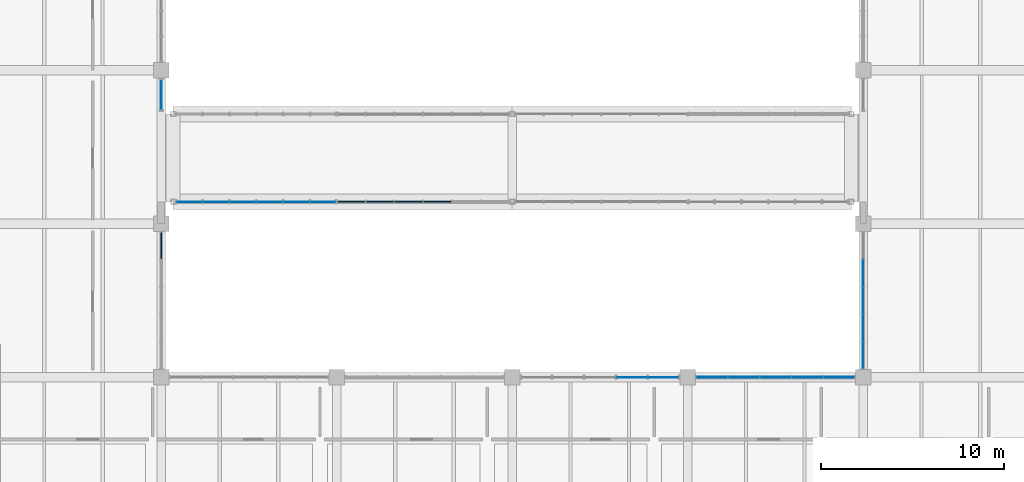
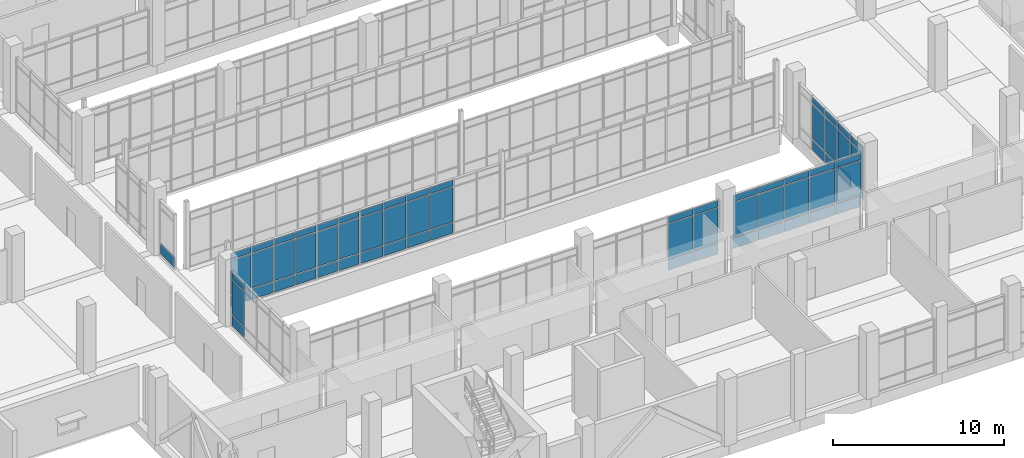
# One storey, part 97 of 152: 67 plates, 7 elements without a shape of their own.
"""IFC4 building model written with IfcOpenShell, lengths in metres."""

from ifc_helpers import new_model, si_unit, direction, frame, origin, origin_2d, place, context, subcontext, project, spatial, rectangle, extrude, material, layer, layer_set, type_object, element, aggregate, save


model = new_model("IFC4")

# Units and contexts
model_context = context("Model", 3, precision=1e-05, world=origin(), true_north=direction((0.0, 1.0)))
body_context = subcontext(model_context, "Body", "Model", "MODEL_VIEW")
ifc_project = project(units=[si_unit("LENGTHUNIT", "METRE"), si_unit("AREAUNIT", "SQUARE_METRE"), si_unit("VOLUMEUNIT", "CUBIC_METRE"), si_unit("PLANEANGLEUNIT", "RADIAN"), si_unit("MASSUNIT", "GRAM", prefix="KILO")], contexts=[model_context])

# Site, building, storey
site_placement = place(None, origin())
site = spatial("IfcSite", under=ifc_project, at=site_placement, CompositionType="ELEMENT")
building_placement = place(site_placement, origin())
building = spatial("IfcBuilding", under=site, at=building_placement, Name="Oolite Switchyard Hospital", CompositionType="ELEMENT")
storey_placement = place(building_placement, frame((0.0, 0.0, 5.10009765625)))
storey = spatial("IfcBuildingStorey", under=building, at=storey_placement, Name="L01", CompositionType="ELEMENT", Elevation=5.10009765625)

# Curtain wall, plates
ifc_material_1 = material(Name="Thermally broken aluminum frame with laminated impact glazing", Category="aluminium")
curtain_wall_type_1 = type_object("IfcCurtainWallType", Name="CW-BRG-96X38", PredefinedType="USERDEFINED", material=ifc_material_1)
curtain_wall_1_placement = place(storey_placement, origin())
curtain_wall_1 = element("IfcCurtainWall", 1, at=curtain_wall_1_placement, inside=storey, type_object=curtain_wall_type_1, Name="L01 Unitised Curtain Wall 117", ObjectType="UNITISED", PredefinedType="USERDEFINED")
ifc_material_2 = material(Name="Insulated fluoropolymer-coated aluminum spandrel panel", Category="aluminium")
ifc_layer_1 = layer(ifc_material_2, 0.054931640625)
ifc_layer_set_1 = layer_set([ifc_layer_1], Name="CW-PNL-SPN55")
plate_type_1 = type_object("IfcPlateType", Name="CW-PNL-SPN55", PredefinedType="CURTAIN_PANEL", material=ifc_layer_set_1)
plate_1_placement = place(storey_placement, frame((159.1171875, 34.800048828125, 0.07470703125), z_axis=(0.0, 0.0, 1.0), x_axis=(-1.0, 0.0, 0.0)))
plate_1 = element("IfcPlate", 2, at=plate_1_placement, type_object=plate_type_1, Name="CW-12 panel 3.1", PredefinedType="CURTAIN_PANEL", context=body_context, shape_type="SweptSolid", body=[
    extrude(rectangle(XDim=1.50634765625, YDim=0.054931640625, at=origin_2d()), origin(), (0.0, 0.0, 1.0), 0.737548828125),
])
plate_2_placement = place(storey_placement, frame((159.1171875, 34.800048828125, 0.88720703125), z_axis=(0.0, 0.0, 1.0), x_axis=(-1.0, 0.0, 0.0)))
plate_2 = element("IfcPlate", 3, at=plate_2_placement, type_object=plate_type_1, Name="CW-12 panel 3.2", PredefinedType="CURTAIN_PANEL", context=body_context, shape_type="SweptSolid", body=[
    extrude(rectangle(XDim=1.50634765625, YDim=0.054931640625, at=origin_2d()), origin(), (0.0, 0.0, 1.0), 2.465087890625),
])
plate_3_placement = place(storey_placement, frame((159.1171875, 34.800048828125, 3.427490234375), z_axis=(0.0, 0.0, 1.0), x_axis=(-1.0, 0.0, 0.0)))
plate_3 = element("IfcPlate", 4, at=plate_3_placement, type_object=plate_type_1, Name="CW-12 panel 3.3", PredefinedType="CURTAIN_PANEL", context=body_context, shape_type="SweptSolid", body=[
    extrude(rectangle(XDim=1.50634765625, YDim=0.054931640625, at=origin_2d()), origin(), (0.0, 0.0, 1.0), 0.4375),
])
plate_4_placement = place(storey_placement, frame((157.540771484375, 34.800048828125, 0.07470703125), z_axis=(0.0, 0.0, 1.0), x_axis=(-1.0, 0.0, 0.0)))
plate_4 = element("IfcPlate", 5, at=plate_4_placement, type_object=plate_type_1, Name="CW-12 panel 4.1", PredefinedType="CURTAIN_PANEL", context=body_context, shape_type="SweptSolid", body=[
    extrude(rectangle(XDim=1.50634765625, YDim=0.054931640625, at=origin_2d()), origin(), (0.0, 0.0, 1.0), 0.737548828125),
])
plate_5_placement = place(storey_placement, frame((157.540771484375, 34.800048828125, 0.88720703125), z_axis=(0.0, 0.0, 1.0), x_axis=(-1.0, 0.0, 0.0)))
plate_5 = element("IfcPlate", 6, at=plate_5_placement, type_object=plate_type_1, Name="CW-12 panel 4.2", PredefinedType="CURTAIN_PANEL", context=body_context, shape_type="SweptSolid", body=[
    extrude(rectangle(XDim=1.50634765625, YDim=0.054931640625, at=origin_2d()), origin(), (0.0, 0.0, 1.0), 2.465087890625),
])
plate_6_placement = place(storey_placement, frame((157.540771484375, 34.800048828125, 3.427490234375), z_axis=(0.0, 0.0, 1.0), x_axis=(-1.0, 0.0, 0.0)))
plate_6 = element("IfcPlate", 7, at=plate_6_placement, type_object=plate_type_1, Name="CW-12 panel 4.3", PredefinedType="CURTAIN_PANEL", context=body_context, shape_type="SweptSolid", body=[
    extrude(rectangle(XDim=1.50634765625, YDim=0.054931640625, at=origin_2d()), origin(), (0.0, 0.0, 1.0), 0.4375),
])
plate_7_placement = place(storey_placement, frame((155.964599609375, 34.800048828125, 0.07470703125), z_axis=(0.0, 0.0, 1.0), x_axis=(-1.0, 0.0, 0.0)))
plate_7 = element("IfcPlate", 8, at=plate_7_placement, type_object=plate_type_1, Name="CW-12 panel 5.1", PredefinedType="CURTAIN_PANEL", context=body_context, shape_type="SweptSolid", body=[
    extrude(rectangle(XDim=1.50634765625, YDim=0.054931640625, at=origin_2d()), origin(), (0.0, 0.0, 1.0), 0.737548828125),
])
plate_8_placement = place(storey_placement, frame((155.964599609375, 34.800048828125, 0.88720703125), z_axis=(0.0, 0.0, 1.0), x_axis=(-1.0, 0.0, 0.0)))
plate_8 = element("IfcPlate", 9, at=plate_8_placement, type_object=plate_type_1, Name="CW-12 panel 5.2", PredefinedType="CURTAIN_PANEL", context=body_context, shape_type="SweptSolid", body=[
    extrude(rectangle(XDim=1.50634765625, YDim=0.054931640625, at=origin_2d()), origin(), (0.0, 0.0, 1.0), 2.465087890625),
])
plate_9_placement = place(storey_placement, frame((155.964599609375, 34.800048828125, 3.427490234375), z_axis=(0.0, 0.0, 1.0), x_axis=(-1.0, 0.0, 0.0)))
plate_9 = element("IfcPlate", 10, at=plate_9_placement, type_object=plate_type_1, Name="CW-12 panel 5.3", PredefinedType="CURTAIN_PANEL", context=body_context, shape_type="SweptSolid", body=[
    extrude(rectangle(XDim=1.50634765625, YDim=0.054931640625, at=origin_2d()), origin(), (0.0, 0.0, 1.0), 0.4375),
])
plate_10_placement = place(storey_placement, frame((154.40576171875, 34.800048828125, 0.07470703125), z_axis=(0.0, 0.0, 1.0), x_axis=(-1.0, 0.0, 0.0)))
plate_10 = element("IfcPlate", 11, at=plate_10_placement, type_object=plate_type_1, Name="CW-12 panel 6.1", PredefinedType="CURTAIN_PANEL", context=body_context, shape_type="SweptSolid", body=[
    extrude(rectangle(XDim=1.471435546875, YDim=0.054931640625, at=origin_2d()), origin(), (0.0, 0.0, 1.0), 0.737548828125),
])
plate_11_placement = place(storey_placement, frame((154.40576171875, 34.800048828125, 0.88720703125), z_axis=(0.0, 0.0, 1.0), x_axis=(-1.0, 0.0, 0.0)))
plate_11 = element("IfcPlate", 12, at=plate_11_placement, type_object=plate_type_1, Name="CW-12 panel 6.2", PredefinedType="CURTAIN_PANEL", context=body_context, shape_type="SweptSolid", body=[
    extrude(rectangle(XDim=1.471435546875, YDim=0.054931640625, at=origin_2d()), origin(), (0.0, 0.0, 1.0), 2.465087890625),
])
plate_12_placement = place(storey_placement, frame((154.40576171875, 34.800048828125, 3.427490234375), z_axis=(0.0, 0.0, 1.0), x_axis=(-1.0, 0.0, 0.0)))
plate_12 = element("IfcPlate", 13, at=plate_12_placement, type_object=plate_type_1, Name="CW-12 panel 6.3", PredefinedType="CURTAIN_PANEL", context=body_context, shape_type="SweptSolid", body=[
    extrude(rectangle(XDim=1.471435546875, YDim=0.054931640625, at=origin_2d()), origin(), (0.0, 0.0, 1.0), 0.4375),
])
aggregate(curtain_wall_1, [plate_1, plate_2, plate_3, plate_4, plate_5, plate_6, plate_7, plate_8, plate_9, plate_10, plate_11, plate_12])

curtain_wall_type_2 = type_object("IfcCurtainWallType", Name="CW-UNIT-84X48", PredefinedType="USERDEFINED", material=ifc_material_1)
curtain_wall_2_placement = place(storey_placement, origin())
curtain_wall_2 = element("IfcCurtainWall", 14, at=curtain_wall_2_placement, inside=storey, type_object=curtain_wall_type_2, Name="L01 Unitised Curtain Wall 191", ObjectType="UNITISED", PredefinedType="USERDEFINED")
ifc_layer_2 = layer(ifc_material_2, 0.070068359375)
ifc_layer_set_2 = layer_set([ifc_layer_2], Name="CW-PNL-SPN70")
plate_type_2 = type_object("IfcPlateType", Name="CW-PNL-SPN70", PredefinedType="CURTAIN_PANEL", material=ifc_layer_set_2)
plate_13_placement = place(storey_placement, frame((144.0, 32.39306640625, 0.07470703125), z_axis=(0.0, 0.0, 1.0), x_axis=(0.0, -1.0, 0.0)))
plate_13 = element("IfcPlate", 15, at=plate_13_placement, type_object=plate_type_2, Name="CW-07 panel 1.1", PredefinedType="CURTAIN_PANEL", context=body_context, shape_type="SweptSolid", body=[
    extrude(rectangle(XDim=1.4140625, YDim=0.070068359375, at=origin_2d()), origin(), (0.0, 0.0, 1.0), 0.737548828125),
])
plate_14_placement = place(storey_placement, frame((144.0, 32.39306640625, 0.88720703125), z_axis=(0.0, 0.0, 1.0), x_axis=(0.0, -1.0, 0.0)))
plate_14 = element("IfcPlate", 16, at=plate_14_placement, type_object=plate_type_2, Name="CW-07 panel 1.2", PredefinedType="CURTAIN_PANEL", context=body_context, shape_type="SweptSolid", body=[
    extrude(rectangle(XDim=1.4140625, YDim=0.070068359375, at=origin_2d()), origin(), (0.0, 0.0, 1.0), 2.465087890625),
])
plate_15_placement = place(storey_placement, frame((144.0, 32.39306640625, 3.427490234375), z_axis=(0.0, 0.0, 1.0), x_axis=(0.0, -1.0, 0.0)))
plate_15 = element("IfcPlate", 17, at=plate_15_placement, type_object=plate_type_2, Name="CW-07 panel 1.3", PredefinedType="CURTAIN_PANEL", context=body_context, shape_type="SweptSolid", body=[
    extrude(rectangle(XDim=1.4140625, YDim=0.070068359375, at=origin_2d()), origin(), (0.0, 0.0, 1.0), 0.4375),
])
aggregate(curtain_wall_2, [plate_13, plate_14, plate_15])

curtain_wall_type_3 = type_object("IfcCurtainWallType", Name="CW-UNIT-96X48", PredefinedType="USERDEFINED", material=ifc_material_1)
curtain_wall_3_placement = place(storey_placement, origin())
curtain_wall_3 = element("IfcCurtainWall", 18, at=curtain_wall_3_placement, inside=storey, type_object=curtain_wall_type_3, Name="L01 Unitised Curtain Wall 106", ObjectType="UNITISED", PredefinedType="USERDEFINED")
ifc_material_3 = material(Name="Laminated hurricane-impact insulated glazing unit", Category="glass")
ifc_layer_3 = layer(ifc_material_3, 0.028076171875)
ifc_layer_set_3 = layer_set([ifc_layer_3], Name="CW-PNL-VIS28")
plate_type_3 = type_object("IfcPlateType", Name="CW-PNL-VIS28", PredefinedType="CURTAIN_PANEL", material=ifc_layer_set_3)
plate_16_placement = place(storey_placement, frame((169.743896484375, 25.199951171875, 0.06005859375), z_axis=(0.0, 0.0, 1.0), x_axis=(1.0, 0.0, 0.0)))
plate_16 = element("IfcPlate", 19, at=plate_16_placement, type_object=plate_type_3, Name="CW-02 panel 4.1", PredefinedType="CURTAIN_PANEL", context=body_context, shape_type="SweptSolid", body=[
    extrude(rectangle(XDim=1.6689453125, YDim=0.028076171875, at=origin_2d()), origin(), (0.0, 0.0, 1.0), 0.760009765625),
])
plate_17_placement = place(storey_placement, frame((169.743896484375, 25.199951171875, 0.8798828125), z_axis=(0.0, 0.0, 1.0), x_axis=(1.0, 0.0, 0.0)))
plate_17 = element("IfcPlate", 20, at=plate_17_placement, type_object=plate_type_3, Name="CW-02 panel 4.2", PredefinedType="CURTAIN_PANEL", context=body_context, shape_type="SweptSolid", body=[
    extrude(rectangle(XDim=1.6689453125, YDim=0.028076171875, at=origin_2d()), origin(), (0.0, 0.0, 1.0), 2.47998046875),
])
plate_18_placement = place(storey_placement, frame((169.743896484375, 25.199951171875, 3.419921875), z_axis=(0.0, 0.0, 1.0), x_axis=(1.0, 0.0, 0.0)))
plate_18 = element("IfcPlate", 21, at=plate_18_placement, type_object=plate_type_3, Name="CW-02 panel 4.3", PredefinedType="CURTAIN_PANEL", context=body_context, shape_type="SweptSolid", body=[
    extrude(rectangle(XDim=1.6689453125, YDim=0.028076171875, at=origin_2d()), origin(), (0.0, 0.0, 1.0), 0.4599609375),
])
plate_19_placement = place(storey_placement, frame((171.46923828125, 25.199951171875, 0.06005859375), z_axis=(0.0, 0.0, 1.0), x_axis=(1.0, 0.0, 0.0)))
plate_19 = element("IfcPlate", 22, at=plate_19_placement, type_object=plate_type_3, Name="CW-02 panel 5.1", PredefinedType="CURTAIN_PANEL", context=body_context, shape_type="SweptSolid", body=[
    extrude(rectangle(XDim=1.631591796875, YDim=0.028076171875, at=origin_2d()), origin(), (0.0, 0.0, 1.0), 0.760009765625),
])
plate_20_placement = place(storey_placement, frame((171.46923828125, 25.199951171875, 0.8798828125), z_axis=(0.0, 0.0, 1.0), x_axis=(1.0, 0.0, 0.0)))
plate_20 = element("IfcPlate", 23, at=plate_20_placement, type_object=plate_type_3, Name="CW-02 panel 5.2", PredefinedType="CURTAIN_PANEL", context=body_context, shape_type="SweptSolid", body=[
    extrude(rectangle(XDim=1.631591796875, YDim=0.028076171875, at=origin_2d()), origin(), (0.0, 0.0, 1.0), 2.47998046875),
])
plate_21_placement = place(storey_placement, frame((171.46923828125, 25.199951171875, 3.419921875), z_axis=(0.0, 0.0, 1.0), x_axis=(1.0, 0.0, 0.0)))
plate_21 = element("IfcPlate", 24, at=plate_21_placement, type_object=plate_type_3, Name="CW-02 panel 5.3", PredefinedType="CURTAIN_PANEL", context=body_context, shape_type="SweptSolid", body=[
    extrude(rectangle(XDim=1.631591796875, YDim=0.028076171875, at=origin_2d()), origin(), (0.0, 0.0, 1.0), 0.4599609375),
])
aggregate(curtain_wall_3, [plate_16, plate_17, plate_18, plate_19, plate_20, plate_21])

curtain_wall_4_placement = place(storey_placement, origin())
curtain_wall_4 = element("IfcCurtainWall", 25, at=curtain_wall_4_placement, inside=storey, type_object=curtain_wall_type_2, Name="L01 Unitised Curtain Wall 197", ObjectType="UNITISED", PredefinedType="USERDEFINED")
plate_22_placement = place(storey_placement, frame((182.39990234375, 26.406982421875, 0.07470703125), z_axis=(0.0, 0.0, 1.0), x_axis=(0.0, 1.0, 0.0)))
plate_22 = element("IfcPlate", 26, at=plate_22_placement, type_object=plate_type_3, Name="CW-07 panel 1.1", PredefinedType="CURTAIN_PANEL", context=body_context, shape_type="SweptSolid", body=[
    extrude(rectangle(XDim=1.4140625, YDim=0.028076171875, at=origin_2d()), origin(), (0.0, 0.0, 1.0), 0.737548828125),
])
plate_23_placement = place(storey_placement, frame((182.39990234375, 26.406982421875, 0.88720703125), z_axis=(0.0, 0.0, 1.0), x_axis=(0.0, 1.0, 0.0)))
plate_23 = element("IfcPlate", 27, at=plate_23_placement, type_object=plate_type_3, Name="CW-07 panel 1.2", PredefinedType="CURTAIN_PANEL", context=body_context, shape_type="SweptSolid", body=[
    extrude(rectangle(XDim=1.4140625, YDim=0.028076171875, at=origin_2d()), origin(), (0.0, 0.0, 1.0), 2.465087890625),
])
plate_24_placement = place(storey_placement, frame((182.39990234375, 26.406982421875, 3.427490234375), z_axis=(0.0, 0.0, 1.0), x_axis=(0.0, 1.0, 0.0)))
plate_24 = element("IfcPlate", 28, at=plate_24_placement, type_object=plate_type_3, Name="CW-07 panel 1.3", PredefinedType="CURTAIN_PANEL", context=body_context, shape_type="SweptSolid", body=[
    extrude(rectangle(XDim=1.4140625, YDim=0.028076171875, at=origin_2d()), origin(), (0.0, 0.0, 1.0), 0.4375),
])
plate_25_placement = place(storey_placement, frame((182.39990234375, 27.89599609375, 0.07470703125), z_axis=(0.0, 0.0, 1.0), x_axis=(0.0, 1.0, 0.0)))
plate_25 = element("IfcPlate", 29, at=plate_25_placement, type_object=plate_type_3, Name="CW-07 panel 2.1", PredefinedType="CURTAIN_PANEL", context=body_context, shape_type="SweptSolid", body=[
    extrude(rectangle(XDim=1.444091796875, YDim=0.028076171875, at=origin_2d()), origin(), (0.0, 0.0, 1.0), 0.737548828125),
])
plate_26_placement = place(storey_placement, frame((182.39990234375, 27.89599609375, 0.88720703125), z_axis=(0.0, 0.0, 1.0), x_axis=(0.0, 1.0, 0.0)))
plate_26 = element("IfcPlate", 30, at=plate_26_placement, type_object=plate_type_3, Name="CW-07 panel 2.2", PredefinedType="CURTAIN_PANEL", context=body_context, shape_type="SweptSolid", body=[
    extrude(rectangle(XDim=1.444091796875, YDim=0.028076171875, at=origin_2d()), origin(), (0.0, 0.0, 1.0), 2.465087890625),
])
plate_27_placement = place(storey_placement, frame((182.39990234375, 27.89599609375, 3.427490234375), z_axis=(0.0, 0.0, 1.0), x_axis=(0.0, 1.0, 0.0)))
plate_27 = element("IfcPlate", 31, at=plate_27_placement, type_object=plate_type_3, Name="CW-07 panel 2.3", PredefinedType="CURTAIN_PANEL", context=body_context, shape_type="SweptSolid", body=[
    extrude(rectangle(XDim=1.444091796875, YDim=0.028076171875, at=origin_2d()), origin(), (0.0, 0.0, 1.0), 0.4375),
])
plate_28_placement = place(storey_placement, frame((182.39990234375, 29.39990234375, 0.07470703125), z_axis=(0.0, 0.0, 1.0), x_axis=(0.0, 1.0, 0.0)))
plate_28 = element("IfcPlate", 32, at=plate_28_placement, type_object=plate_type_3, Name="CW-07 panel 3.1", PredefinedType="CURTAIN_PANEL", context=body_context, shape_type="SweptSolid", body=[
    extrude(rectangle(XDim=1.444091796875, YDim=0.028076171875, at=origin_2d()), origin(), (0.0, 0.0, 1.0), 0.737548828125),
])
plate_29_placement = place(storey_placement, frame((182.39990234375, 29.39990234375, 0.88720703125), z_axis=(0.0, 0.0, 1.0), x_axis=(0.0, 1.0, 0.0)))
plate_29 = element("IfcPlate", 33, at=plate_29_placement, type_object=plate_type_3, Name="CW-07 panel 3.2", PredefinedType="CURTAIN_PANEL", context=body_context, shape_type="SweptSolid", body=[
    extrude(rectangle(XDim=1.444091796875, YDim=0.028076171875, at=origin_2d()), origin(), (0.0, 0.0, 1.0), 2.465087890625),
])
plate_30_placement = place(storey_placement, frame((182.39990234375, 29.39990234375, 3.427490234375), z_axis=(0.0, 0.0, 1.0), x_axis=(0.0, 1.0, 0.0)))
plate_30 = element("IfcPlate", 34, at=plate_30_placement, type_object=plate_type_3, Name="CW-07 panel 3.3", PredefinedType="CURTAIN_PANEL", context=body_context, shape_type="SweptSolid", body=[
    extrude(rectangle(XDim=1.444091796875, YDim=0.028076171875, at=origin_2d()), origin(), (0.0, 0.0, 1.0), 0.4375),
])
plate_31_placement = place(storey_placement, frame((182.39990234375, 30.904052734375, 0.07470703125), z_axis=(0.0, 0.0, 1.0), x_axis=(0.0, 1.0, 0.0)))
plate_31 = element("IfcPlate", 35, at=plate_31_placement, type_object=plate_type_3, Name="CW-07 panel 4.1", PredefinedType="CURTAIN_PANEL", context=body_context, shape_type="SweptSolid", body=[
    extrude(rectangle(XDim=1.444091796875, YDim=0.028076171875, at=origin_2d()), origin(), (0.0, 0.0, 1.0), 0.737548828125),
])
plate_32_placement = place(storey_placement, frame((182.39990234375, 30.904052734375, 0.88720703125), z_axis=(0.0, 0.0, 1.0), x_axis=(0.0, 1.0, 0.0)))
plate_32 = element("IfcPlate", 36, at=plate_32_placement, type_object=plate_type_3, Name="CW-07 panel 4.2", PredefinedType="CURTAIN_PANEL", context=body_context, shape_type="SweptSolid", body=[
    extrude(rectangle(XDim=1.444091796875, YDim=0.028076171875, at=origin_2d()), origin(), (0.0, 0.0, 1.0), 2.465087890625),
])
plate_33_placement = place(storey_placement, frame((182.39990234375, 30.904052734375, 3.427490234375), z_axis=(0.0, 0.0, 1.0), x_axis=(0.0, 1.0, 0.0)))
plate_33 = element("IfcPlate", 37, at=plate_33_placement, type_object=plate_type_3, Name="CW-07 panel 4.3", PredefinedType="CURTAIN_PANEL", context=body_context, shape_type="SweptSolid", body=[
    extrude(rectangle(XDim=1.444091796875, YDim=0.028076171875, at=origin_2d()), origin(), (0.0, 0.0, 1.0), 0.4375),
])
aggregate(curtain_wall_4, [plate_22, plate_23, plate_24, plate_25, plate_26, plate_27, plate_28, plate_29, plate_30, plate_31, plate_32, plate_33])

curtain_wall_5_placement = place(storey_placement, origin())
curtain_wall_5 = element("IfcCurtainWall", 38, at=curtain_wall_5_placement, inside=storey, type_object=curtain_wall_type_1, Name="L01 Unitised Curtain Wall 115", ObjectType="UNITISED", PredefinedType="USERDEFINED")
ifc_layer_4 = layer(ifc_material_3, 0.031982421875)
ifc_layer_set_4 = layer_set([ifc_layer_4], Name="CW-PNL-VIS32")
plate_type_4 = type_object("IfcPlateType", Name="CW-PNL-VIS32", PredefinedType="CURTAIN_PANEL", material=ifc_layer_set_4)
plate_34_placement = place(storey_placement, frame((152.84716796875, 34.800048828125, 0.07470703125), z_axis=(0.0, 0.0, 1.0), x_axis=(-1.0, 0.0, 0.0)))
plate_34 = element("IfcPlate", 39, at=plate_34_placement, type_object=plate_type_4, Name="CW-12 panel 1.1", PredefinedType="CURTAIN_PANEL", context=body_context, shape_type="SweptSolid", body=[
    extrude(rectangle(XDim=1.35546875, YDim=0.031982421875, at=origin_2d()), origin(), (0.0, 0.0, 1.0), 0.737548828125),
])
plate_35_placement = place(storey_placement, frame((152.84716796875, 34.800048828125, 0.88720703125), z_axis=(0.0, 0.0, 1.0), x_axis=(-1.0, 0.0, 0.0)))
plate_35 = element("IfcPlate", 40, at=plate_35_placement, type_object=plate_type_4, Name="CW-12 panel 1.2", PredefinedType="CURTAIN_PANEL", context=body_context, shape_type="SweptSolid", body=[
    extrude(rectangle(XDim=1.35546875, YDim=0.031982421875, at=origin_2d()), origin(), (0.0, 0.0, 1.0), 2.465087890625),
])
plate_36_placement = place(storey_placement, frame((152.84716796875, 34.800048828125, 3.427490234375), z_axis=(0.0, 0.0, 1.0), x_axis=(-1.0, 0.0, 0.0)))
plate_36 = element("IfcPlate", 41, at=plate_36_placement, type_object=plate_type_4, Name="CW-12 panel 1.3", PredefinedType="CURTAIN_PANEL", context=body_context, shape_type="SweptSolid", body=[
    extrude(rectangle(XDim=1.35546875, YDim=0.031982421875, at=origin_2d()), origin(), (0.0, 0.0, 1.0), 0.4375),
])
plate_37_placement = place(storey_placement, frame((151.39794921875, 34.800048828125, 0.07470703125), z_axis=(0.0, 0.0, 1.0), x_axis=(-1.0, 0.0, 0.0)))
plate_37 = element("IfcPlate", 42, at=plate_37_placement, type_object=plate_type_4, Name="CW-12 panel 2.1", PredefinedType="CURTAIN_PANEL", context=body_context, shape_type="SweptSolid", body=[
    extrude(rectangle(XDim=1.39306640625, YDim=0.031982421875, at=origin_2d()), origin(), (0.0, 0.0, 1.0), 0.737548828125),
])
plate_38_placement = place(storey_placement, frame((151.39794921875, 34.800048828125, 0.88720703125), z_axis=(0.0, 0.0, 1.0), x_axis=(-1.0, 0.0, 0.0)))
plate_38 = element("IfcPlate", 43, at=plate_38_placement, type_object=plate_type_4, Name="CW-12 panel 2.2", PredefinedType="CURTAIN_PANEL", context=body_context, shape_type="SweptSolid", body=[
    extrude(rectangle(XDim=1.39306640625, YDim=0.031982421875, at=origin_2d()), origin(), (0.0, 0.0, 1.0), 2.465087890625),
])
plate_39_placement = place(storey_placement, frame((151.39794921875, 34.800048828125, 3.427490234375), z_axis=(0.0, 0.0, 1.0), x_axis=(-1.0, 0.0, 0.0)))
plate_39 = element("IfcPlate", 44, at=plate_39_placement, type_object=plate_type_4, Name="CW-12 panel 2.3", PredefinedType="CURTAIN_PANEL", context=body_context, shape_type="SweptSolid", body=[
    extrude(rectangle(XDim=1.39306640625, YDim=0.031982421875, at=origin_2d()), origin(), (0.0, 0.0, 1.0), 0.4375),
])
plate_40_placement = place(storey_placement, frame((149.929931640625, 34.800048828125, 0.07470703125), z_axis=(0.0, 0.0, 1.0), x_axis=(-1.0, 0.0, 0.0)))
plate_40 = element("IfcPlate", 45, at=plate_40_placement, type_object=plate_type_4, Name="CW-12 panel 3.1", PredefinedType="CURTAIN_PANEL", context=body_context, shape_type="SweptSolid", body=[
    extrude(rectangle(XDim=1.39306640625, YDim=0.031982421875, at=origin_2d()), origin(), (0.0, 0.0, 1.0), 0.737548828125),
])
plate_41_placement = place(storey_placement, frame((149.929931640625, 34.800048828125, 0.88720703125), z_axis=(0.0, 0.0, 1.0), x_axis=(-1.0, 0.0, 0.0)))
plate_41 = element("IfcPlate", 46, at=plate_41_placement, type_object=plate_type_4, Name="CW-12 panel 3.2", PredefinedType="CURTAIN_PANEL", context=body_context, shape_type="SweptSolid", body=[
    extrude(rectangle(XDim=1.39306640625, YDim=0.031982421875, at=origin_2d()), origin(), (0.0, 0.0, 1.0), 2.465087890625),
])
plate_42_placement = place(storey_placement, frame((149.929931640625, 34.800048828125, 3.427490234375), z_axis=(0.0, 0.0, 1.0), x_axis=(-1.0, 0.0, 0.0)))
plate_42 = element("IfcPlate", 47, at=plate_42_placement, type_object=plate_type_4, Name="CW-12 panel 3.3", PredefinedType="CURTAIN_PANEL", context=body_context, shape_type="SweptSolid", body=[
    extrude(rectangle(XDim=1.39306640625, YDim=0.031982421875, at=origin_2d()), origin(), (0.0, 0.0, 1.0), 0.4375),
])
plate_43_placement = place(storey_placement, frame((148.4619140625, 34.800048828125, 0.07470703125), z_axis=(0.0, 0.0, 1.0), x_axis=(-1.0, 0.0, 0.0)))
plate_43 = element("IfcPlate", 48, at=plate_43_placement, type_object=plate_type_4, Name="CW-12 panel 4.1", PredefinedType="CURTAIN_PANEL", context=body_context, shape_type="SweptSolid", body=[
    extrude(rectangle(XDim=1.39306640625, YDim=0.031982421875, at=origin_2d()), origin(), (0.0, 0.0, 1.0), 0.737548828125),
])
plate_44_placement = place(storey_placement, frame((148.4619140625, 34.800048828125, 0.88720703125), z_axis=(0.0, 0.0, 1.0), x_axis=(-1.0, 0.0, 0.0)))
plate_44 = element("IfcPlate", 49, at=plate_44_placement, type_object=plate_type_4, Name="CW-12 panel 4.2", PredefinedType="CURTAIN_PANEL", context=body_context, shape_type="SweptSolid", body=[
    extrude(rectangle(XDim=1.39306640625, YDim=0.031982421875, at=origin_2d()), origin(), (0.0, 0.0, 1.0), 2.465087890625),
])
plate_45_placement = place(storey_placement, frame((148.4619140625, 34.800048828125, 3.427490234375), z_axis=(0.0, 0.0, 1.0), x_axis=(-1.0, 0.0, 0.0)))
plate_45 = element("IfcPlate", 50, at=plate_45_placement, type_object=plate_type_4, Name="CW-12 panel 4.3", PredefinedType="CURTAIN_PANEL", context=body_context, shape_type="SweptSolid", body=[
    extrude(rectangle(XDim=1.39306640625, YDim=0.031982421875, at=origin_2d()), origin(), (0.0, 0.0, 1.0), 0.4375),
])
plate_46_placement = place(storey_placement, frame((146.993896484375, 34.800048828125, 0.07470703125), z_axis=(0.0, 0.0, 1.0), x_axis=(-1.0, 0.0, 0.0)))
plate_46 = element("IfcPlate", 51, at=plate_46_placement, type_object=plate_type_4, Name="CW-12 panel 5.1", PredefinedType="CURTAIN_PANEL", context=body_context, shape_type="SweptSolid", body=[
    extrude(rectangle(XDim=1.39306640625, YDim=0.031982421875, at=origin_2d()), origin(), (0.0, 0.0, 1.0), 0.737548828125),
])
plate_47_placement = place(storey_placement, frame((146.993896484375, 34.800048828125, 0.88720703125), z_axis=(0.0, 0.0, 1.0), x_axis=(-1.0, 0.0, 0.0)))
plate_47 = element("IfcPlate", 52, at=plate_47_placement, type_object=plate_type_4, Name="CW-12 panel 5.2", PredefinedType="CURTAIN_PANEL", context=body_context, shape_type="SweptSolid", body=[
    extrude(rectangle(XDim=1.39306640625, YDim=0.031982421875, at=origin_2d()), origin(), (0.0, 0.0, 1.0), 2.465087890625),
])
plate_48_placement = place(storey_placement, frame((146.993896484375, 34.800048828125, 3.427490234375), z_axis=(0.0, 0.0, 1.0), x_axis=(-1.0, 0.0, 0.0)))
plate_48 = element("IfcPlate", 53, at=plate_48_placement, type_object=plate_type_4, Name="CW-12 panel 5.3", PredefinedType="CURTAIN_PANEL", context=body_context, shape_type="SweptSolid", body=[
    extrude(rectangle(XDim=1.39306640625, YDim=0.031982421875, at=origin_2d()), origin(), (0.0, 0.0, 1.0), 0.4375),
])
plate_49_placement = place(storey_placement, frame((145.544677734375, 34.800048828125, 0.07470703125), z_axis=(0.0, 0.0, 1.0), x_axis=(-1.0, 0.0, 0.0)))
plate_49 = element("IfcPlate", 54, at=plate_49_placement, type_object=plate_type_4, Name="CW-12 panel 6.1", PredefinedType="CURTAIN_PANEL", context=body_context, shape_type="SweptSolid", body=[
    extrude(rectangle(XDim=1.35546875, YDim=0.031982421875, at=origin_2d()), origin(), (0.0, 0.0, 1.0), 0.737548828125),
])
plate_50_placement = place(storey_placement, frame((145.544677734375, 34.800048828125, 0.88720703125), z_axis=(0.0, 0.0, 1.0), x_axis=(-1.0, 0.0, 0.0)))
plate_50 = element("IfcPlate", 55, at=plate_50_placement, type_object=plate_type_4, Name="CW-12 panel 6.2", PredefinedType="CURTAIN_PANEL", context=body_context, shape_type="SweptSolid", body=[
    extrude(rectangle(XDim=1.35546875, YDim=0.031982421875, at=origin_2d()), origin(), (0.0, 0.0, 1.0), 2.465087890625),
])
plate_51_placement = place(storey_placement, frame((145.544677734375, 34.800048828125, 3.427490234375), z_axis=(0.0, 0.0, 1.0), x_axis=(-1.0, 0.0, 0.0)))
plate_51 = element("IfcPlate", 56, at=plate_51_placement, type_object=plate_type_4, Name="CW-12 panel 6.3", PredefinedType="CURTAIN_PANEL", context=body_context, shape_type="SweptSolid", body=[
    extrude(rectangle(XDim=1.35546875, YDim=0.031982421875, at=origin_2d()), origin(), (0.0, 0.0, 1.0), 0.4375),
])
aggregate(curtain_wall_5, [plate_34, plate_35, plate_36, plate_37, plate_38, plate_39, plate_40, plate_41, plate_42, plate_43, plate_44, plate_45, plate_46, plate_47, plate_48, plate_49, plate_50, plate_51])

curtain_wall_6_placement = place(storey_placement, origin())
curtain_wall_6 = element("IfcCurtainWall", 57, at=curtain_wall_6_placement, inside=storey, type_object=curtain_wall_type_3, Name="L01 Unitised Curtain Wall 107", ObjectType="UNITISED", PredefinedType="USERDEFINED")
ifc_layer_5 = layer(ifc_material_3, 0.035888671875)
ifc_layer_set_5 = layer_set([ifc_layer_5], Name="CW-PNL-VIS36")
plate_type_5 = type_object("IfcPlateType", Name="CW-PNL-VIS36", PredefinedType="CURTAIN_PANEL", material=ifc_layer_set_5)
plate_52_placement = place(storey_placement, frame((174.126953125, 25.199951171875, 0.07470703125), z_axis=(0.0, 0.0, 1.0), x_axis=(1.0, 0.0, 0.0)))
plate_52 = element("IfcPlate", 58, at=plate_52_placement, type_object=plate_type_5, Name="CW-02 panel 1.1", PredefinedType="CURTAIN_PANEL", context=body_context, shape_type="SweptSolid", body=[
    extrude(rectangle(XDim=1.654052734375, YDim=0.035888671875, at=origin_2d()), origin(), (0.0, 0.0, 1.0), 0.737548828125),
])
plate_53_placement = place(storey_placement, frame((174.126953125, 25.199951171875, 0.88720703125), z_axis=(0.0, 0.0, 1.0), x_axis=(1.0, 0.0, 0.0)))
plate_53 = element("IfcPlate", 59, at=plate_53_placement, type_object=plate_type_5, Name="CW-02 panel 1.2", PredefinedType="CURTAIN_PANEL", context=body_context, shape_type="SweptSolid", body=[
    extrude(rectangle(XDim=1.654052734375, YDim=0.035888671875, at=origin_2d()), origin(), (0.0, 0.0, 1.0), 2.465087890625),
])
plate_54_placement = place(storey_placement, frame((174.126953125, 25.199951171875, 3.427490234375), z_axis=(0.0, 0.0, 1.0), x_axis=(1.0, 0.0, 0.0)))
plate_54 = element("IfcPlate", 60, at=plate_54_placement, type_object=plate_type_5, Name="CW-02 panel 1.3", PredefinedType="CURTAIN_PANEL", context=body_context, shape_type="SweptSolid", body=[
    extrude(rectangle(XDim=1.654052734375, YDim=0.035888671875, at=origin_2d()), origin(), (0.0, 0.0, 1.0), 0.4375),
])
plate_55_placement = place(storey_placement, frame((175.85595703125, 25.199951171875, 0.07470703125), z_axis=(0.0, 0.0, 1.0), x_axis=(1.0, 0.0, 0.0)))
plate_55 = element("IfcPlate", 61, at=plate_55_placement, type_object=plate_type_5, Name="CW-02 panel 2.1", PredefinedType="CURTAIN_PANEL", context=body_context, shape_type="SweptSolid", body=[
    extrude(rectangle(XDim=1.68408203125, YDim=0.035888671875, at=origin_2d()), origin(), (0.0, 0.0, 1.0), 0.737548828125),
])
plate_56_placement = place(storey_placement, frame((175.85595703125, 25.199951171875, 0.88720703125), z_axis=(0.0, 0.0, 1.0), x_axis=(1.0, 0.0, 0.0)))
plate_56 = element("IfcPlate", 62, at=plate_56_placement, type_object=plate_type_5, Name="CW-02 panel 2.2", PredefinedType="CURTAIN_PANEL", context=body_context, shape_type="SweptSolid", body=[
    extrude(rectangle(XDim=1.68408203125, YDim=0.035888671875, at=origin_2d()), origin(), (0.0, 0.0, 1.0), 2.465087890625),
])
plate_57_placement = place(storey_placement, frame((175.85595703125, 25.199951171875, 3.427490234375), z_axis=(0.0, 0.0, 1.0), x_axis=(1.0, 0.0, 0.0)))
plate_57 = element("IfcPlate", 63, at=plate_57_placement, type_object=plate_type_5, Name="CW-02 panel 2.3", PredefinedType="CURTAIN_PANEL", context=body_context, shape_type="SweptSolid", body=[
    extrude(rectangle(XDim=1.68408203125, YDim=0.035888671875, at=origin_2d()), origin(), (0.0, 0.0, 1.0), 0.4375),
])
plate_58_placement = place(storey_placement, frame((177.60009765625, 25.199951171875, 0.07470703125), z_axis=(0.0, 0.0, 1.0), x_axis=(1.0, 0.0, 0.0)))
plate_58 = element("IfcPlate", 64, at=plate_58_placement, type_object=plate_type_5, Name="CW-02 panel 3.1", PredefinedType="CURTAIN_PANEL", context=body_context, shape_type="SweptSolid", body=[
    extrude(rectangle(XDim=1.68408203125, YDim=0.035888671875, at=origin_2d()), origin(), (0.0, 0.0, 1.0), 0.737548828125),
])
plate_59_placement = place(storey_placement, frame((177.60009765625, 25.199951171875, 0.88720703125), z_axis=(0.0, 0.0, 1.0), x_axis=(1.0, 0.0, 0.0)))
plate_59 = element("IfcPlate", 65, at=plate_59_placement, type_object=plate_type_5, Name="CW-02 panel 3.2", PredefinedType="CURTAIN_PANEL", context=body_context, shape_type="SweptSolid", body=[
    extrude(rectangle(XDim=1.68408203125, YDim=0.035888671875, at=origin_2d()), origin(), (0.0, 0.0, 1.0), 2.465087890625),
])
plate_60_placement = place(storey_placement, frame((177.60009765625, 25.199951171875, 3.427490234375), z_axis=(0.0, 0.0, 1.0), x_axis=(1.0, 0.0, 0.0)))
plate_60 = element("IfcPlate", 66, at=plate_60_placement, type_object=plate_type_5, Name="CW-02 panel 3.3", PredefinedType="CURTAIN_PANEL", context=body_context, shape_type="SweptSolid", body=[
    extrude(rectangle(XDim=1.68408203125, YDim=0.035888671875, at=origin_2d()), origin(), (0.0, 0.0, 1.0), 0.4375),
])
plate_61_placement = place(storey_placement, frame((179.343994140625, 25.199951171875, 0.07470703125), z_axis=(0.0, 0.0, 1.0), x_axis=(1.0, 0.0, 0.0)))
plate_61 = element("IfcPlate", 67, at=plate_61_placement, type_object=plate_type_5, Name="CW-02 panel 4.1", PredefinedType="CURTAIN_PANEL", context=body_context, shape_type="SweptSolid", body=[
    extrude(rectangle(XDim=1.68408203125, YDim=0.035888671875, at=origin_2d()), origin(), (0.0, 0.0, 1.0), 0.737548828125),
])
plate_62_placement = place(storey_placement, frame((179.343994140625, 25.199951171875, 0.88720703125), z_axis=(0.0, 0.0, 1.0), x_axis=(1.0, 0.0, 0.0)))
plate_62 = element("IfcPlate", 68, at=plate_62_placement, type_object=plate_type_5, Name="CW-02 panel 4.2", PredefinedType="CURTAIN_PANEL", context=body_context, shape_type="SweptSolid", body=[
    extrude(rectangle(XDim=1.68408203125, YDim=0.035888671875, at=origin_2d()), origin(), (0.0, 0.0, 1.0), 2.465087890625),
])
plate_63_placement = place(storey_placement, frame((179.343994140625, 25.199951171875, 3.427490234375), z_axis=(0.0, 0.0, 1.0), x_axis=(1.0, 0.0, 0.0)))
plate_63 = element("IfcPlate", 69, at=plate_63_placement, type_object=plate_type_5, Name="CW-02 panel 4.3", PredefinedType="CURTAIN_PANEL", context=body_context, shape_type="SweptSolid", body=[
    extrude(rectangle(XDim=1.68408203125, YDim=0.035888671875, at=origin_2d()), origin(), (0.0, 0.0, 1.0), 0.4375),
])
plate_64_placement = place(storey_placement, frame((181.072998046875, 25.199951171875, 0.07470703125), z_axis=(0.0, 0.0, 1.0), x_axis=(1.0, 0.0, 0.0)))
plate_64 = element("IfcPlate", 70, at=plate_64_placement, type_object=plate_type_5, Name="CW-02 panel 5.1", PredefinedType="CURTAIN_PANEL", context=body_context, shape_type="SweptSolid", body=[
    extrude(rectangle(XDim=1.654052734375, YDim=0.035888671875, at=origin_2d()), origin(), (0.0, 0.0, 1.0), 0.737548828125),
])
plate_65_placement = place(storey_placement, frame((181.072998046875, 25.199951171875, 0.88720703125), z_axis=(0.0, 0.0, 1.0), x_axis=(1.0, 0.0, 0.0)))
plate_65 = element("IfcPlate", 71, at=plate_65_placement, type_object=plate_type_5, Name="CW-02 panel 5.2", PredefinedType="CURTAIN_PANEL", context=body_context, shape_type="SweptSolid", body=[
    extrude(rectangle(XDim=1.654052734375, YDim=0.035888671875, at=origin_2d()), origin(), (0.0, 0.0, 1.0), 2.465087890625),
])
plate_66_placement = place(storey_placement, frame((181.072998046875, 25.199951171875, 3.427490234375), z_axis=(0.0, 0.0, 1.0), x_axis=(1.0, 0.0, 0.0)))
plate_66 = element("IfcPlate", 72, at=plate_66_placement, type_object=plate_type_5, Name="CW-02 panel 5.3", PredefinedType="CURTAIN_PANEL", context=body_context, shape_type="SweptSolid", body=[
    extrude(rectangle(XDim=1.654052734375, YDim=0.035888671875, at=origin_2d()), origin(), (0.0, 0.0, 1.0), 0.4375),
])
aggregate(curtain_wall_6, [plate_52, plate_53, plate_54, plate_55, plate_56, plate_57, plate_58, plate_59, plate_60, plate_61, plate_62, plate_63, plate_64, plate_65, plate_66])

# Curtain wall, plate
curtain_wall_7_placement = place(storey_placement, origin())
curtain_wall_7 = element("IfcCurtainWall", 73, at=curtain_wall_7_placement, inside=storey, type_object=curtain_wall_type_1, Name="L01 Unitised Curtain Wall 193", ObjectType="UNITISED", PredefinedType="USERDEFINED")
ifc_layer_6 = layer(ifc_material_3, 0.0419921875)
ifc_layer_set_6 = layer_set([ifc_layer_6], Name="CW-PNL-VIS42")
plate_type_6 = type_object("IfcPlateType", Name="CW-PNL-VIS42", PredefinedType="CURTAIN_PANEL", material=ifc_layer_set_6)
plate_67_placement = place(storey_placement, frame((144.0, 40.659912109375, 0.07470703125), z_axis=(0.0, 0.0, 1.0), x_axis=(0.0, -1.0, 0.0)))
plate_67 = element("IfcPlate", 74, at=plate_67_placement, type_object=plate_type_6, Name="CW-12 panel 1.1", PredefinedType="CURTAIN_PANEL", context=body_context, shape_type="SweptSolid", body=[
    extrude(rectangle(XDim=1.64990234375, YDim=0.0419921875, at=origin_2d()), origin(), (0.0, 0.0, 1.0), 0.737548828125),
])
aggregate(curtain_wall_7, [plate_67])

save(model, "model.ifc")
